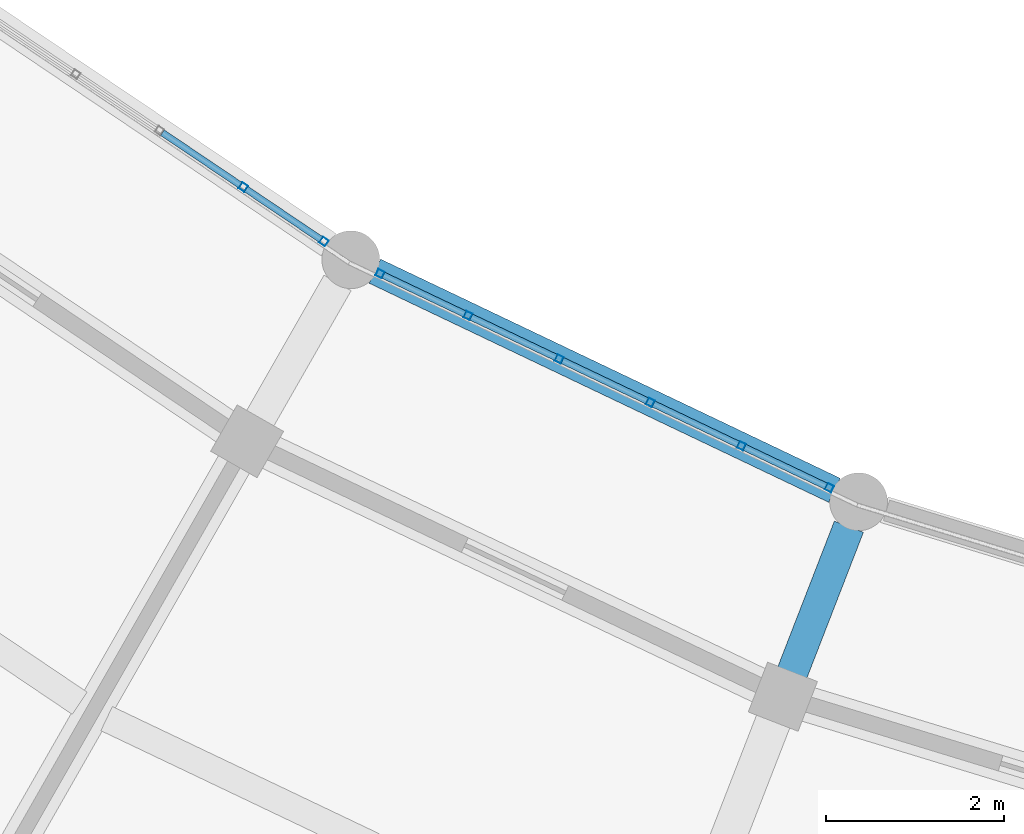
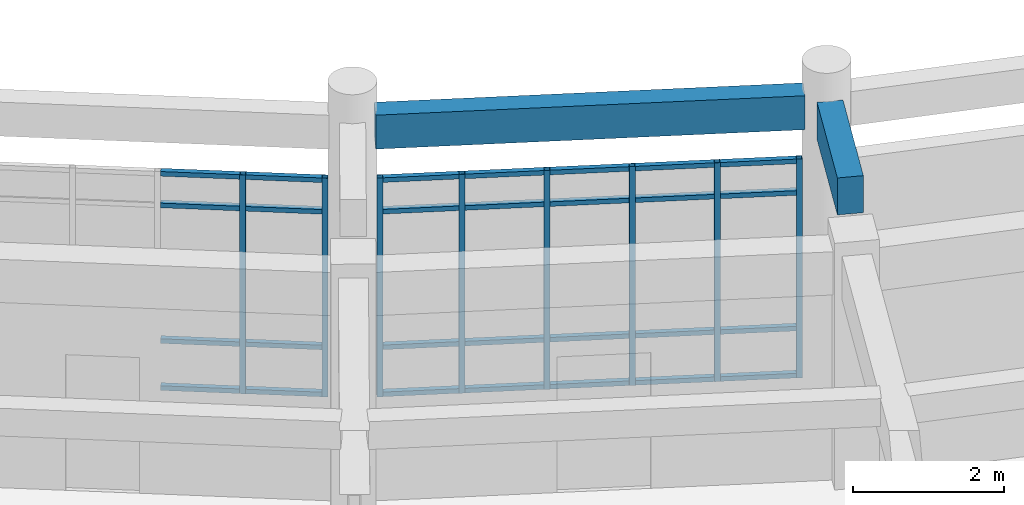
# One storey, part 34 of 159: 36 members, 2 beams, 2 elements without a shape of their own.
"""IFC4 building model written with IfcOpenShell, lengths in metres."""

from ifc_helpers import new_model, si_unit, direction, frame, origin, origin_2d, place, context, subcontext, project, spatial, rectangle, hollow_rectangle, extrude, material, material_profile, profile_set, type_object, element, aggregate, save


model = new_model("IFC4")

# Units and contexts
model_context = context("Model", 3, precision=1e-05, world=origin(), true_north=direction((0.0, 1.0)))
body_context = subcontext(model_context, "Body", "Model", "MODEL_VIEW")
ifc_project = project(units=[si_unit("LENGTHUNIT", "METRE"), si_unit("AREAUNIT", "SQUARE_METRE"), si_unit("VOLUMEUNIT", "CUBIC_METRE"), si_unit("PLANEANGLEUNIT", "RADIAN"), si_unit("MASSUNIT", "GRAM", prefix="KILO")], contexts=[model_context])

# Site, building, storey
site_placement = place(None, origin())
site = spatial("IfcSite", under=ifc_project, at=site_placement, CompositionType="ELEMENT")
building_placement = place(site_placement, origin())
building = spatial("IfcBuilding", under=site, at=building_placement, Name="Celadon Cloister-Ring School", CompositionType="ELEMENT")
storey_placement = place(building_placement, frame((0.0, 0.0, 4.5)))
storey = spatial("IfcBuildingStorey", under=building, at=storey_placement, Name="L01", CompositionType="ELEMENT", Elevation=4.5)

# Beam
ifc_material_1 = material(Name="Concrete C35/45", Category="concrete")
ifc_material_profile_1 = material_profile(ifc_material_1, rectangle(XDim=0.35009765625, YDim=0.60009765625, at=origin_2d()), Name="RC350X600")
ifc_profile_set_1 = profile_set([ifc_material_profile_1], Name="Concrete C35/45")
beam_type_1 = type_object("IfcBeamType", Name="BT-02", PredefinedType="BEAM", material=ifc_profile_set_1)
beam_1_placement = place(storey_placement, frame((70.798095703125, 17.31298828125, 4.35009765625), z_axis=(0.361762199157, 0.932270406728, 0.0), x_axis=(-0.932270406728, 0.361762199157, 0.0)))
element("IfcBeam", 1, at=beam_1_placement, inside=storey, type_object=beam_type_1, Name="Beam 0229", PredefinedType="BEAM", context=body_context, shape_type="SweptSolid", body=[
    extrude(rectangle(XDim=0.35009765625, YDim=0.60009765625, at=origin_2d()), origin(), (0.0, 0.0, 1.0), 1.774169921875),
])

# Curtain wall, members
ifc_material_2 = material(Name="Aluminium EN AW-6063 T6", Category="aluminium")
curtain_wall_type = type_object("IfcCurtainWallType", Name="CW-01", PredefinedType="USERDEFINED", material=ifc_material_2)
curtain_wall_1_placement = place(storey_placement, origin())
curtain_wall_1 = element("IfcCurtainWall", 2, at=curtain_wall_1_placement, inside=storey, type_object=curtain_wall_type, Name="Curtain Wall 0029", ObjectType="CURTAIN WALL", PredefinedType="USERDEFINED")
ifc_material_3 = material(Name="Aluminium EN AW-6063 T6", Category="aluminium")
ifc_material_profile_2 = material_profile(ifc_material_3, hollow_rectangle(XDim=0.080078125, YDim=0.080078125, WallThickness=0.00390625, at=origin_2d()), Name="RHS80X80X4")
ifc_profile_set_2 = profile_set([ifc_material_profile_2], Name="Aluminium EN AW-6063 T6")
member_type_1 = type_object("IfcMemberType", Name="CM-03", PredefinedType="MULLION", material=ifc_profile_set_2)
member_1_placement = place(storey_placement, frame((64.6357421875, 22.781494140625, 0.0), z_axis=(0.0, 0.0, 1.0), x_axis=(0.558845550563, 0.829271759206, 0.0)))
member_1 = element("IfcMember", 3, at=member_1_placement, type_object=member_type_1, Name="CW-01 mullion 5", PredefinedType="MULLION", context=body_context, shape_type="SweptSolid", body=[
    extrude(hollow_rectangle(XDim=0.080078125, YDim=0.080078125, WallThickness=0.00390625, at=origin_2d()), origin(), (0.0, 0.0, 1.0), 3.550048828125),
])
member_2_placement = place(storey_placement, frame((65.542724609375, 22.17041015625, 0.0), z_axis=(0.0, 0.0, 1.0), x_axis=(0.558845550563, 0.829271759206, 0.0)))
member_2 = element("IfcMember", 4, at=member_2_placement, type_object=member_type_1, Name="CW-01 mullion 6", PredefinedType="MULLION", context=body_context, shape_type="SweptSolid", body=[
    extrude(hollow_rectangle(XDim=0.080078125, YDim=0.080078125, WallThickness=0.00390625, at=origin_2d()), origin(), (0.0, 0.0, 1.0), 3.550048828125),
])

curtain_wall_2_placement = place(storey_placement, origin())
curtain_wall_2 = element("IfcCurtainWall", 5, at=curtain_wall_2_placement, inside=storey, type_object=curtain_wall_type, Name="Curtain Wall 0030", ObjectType="CURTAIN WALL", PredefinedType="USERDEFINED")
member_3_placement = place(storey_placement, frame((66.174072265625, 21.808837890625, 0.0), z_axis=(0.0, 0.0, 1.0), x_axis=(0.430200582842, 0.902733326361, 0.0)))
member_3 = element("IfcMember", 6, at=member_3_placement, type_object=member_type_1, Name="CW-01 mullion 1", PredefinedType="MULLION", context=body_context, shape_type="SweptSolid", body=[
    extrude(hollow_rectangle(XDim=0.080078125, YDim=0.080078125, WallThickness=0.00390625, at=origin_2d()), origin(), (0.0, 0.0, 1.0), 3.550048828125),
])
member_4_placement = place(storey_placement, frame((67.16162109375, 21.338134765625, 0.0), z_axis=(0.0, 0.0, 1.0), x_axis=(0.430200582842, 0.902733326361, 0.0)))
member_4 = element("IfcMember", 7, at=member_4_placement, type_object=member_type_1, Name="CW-01 mullion 2", PredefinedType="MULLION", context=body_context, shape_type="SweptSolid", body=[
    extrude(hollow_rectangle(XDim=0.080078125, YDim=0.080078125, WallThickness=0.00390625, at=origin_2d()), origin(), (0.0, 0.0, 1.0), 3.550048828125),
])
member_5_placement = place(storey_placement, frame((68.185302734375, 20.850341796875, 0.0), z_axis=(0.0, 0.0, 1.0), x_axis=(0.430200582842, 0.902733326361, 0.0)))
member_5 = element("IfcMember", 8, at=member_5_placement, type_object=member_type_1, Name="CW-01 mullion 3", PredefinedType="MULLION", context=body_context, shape_type="SweptSolid", body=[
    extrude(hollow_rectangle(XDim=0.080078125, YDim=0.080078125, WallThickness=0.00390625, at=origin_2d()), origin(), (0.0, 0.0, 1.0), 3.550048828125),
])
member_6_placement = place(storey_placement, frame((69.208740234375, 20.362548828125, 0.0), z_axis=(0.0, 0.0, 1.0), x_axis=(0.430200582842, 0.902733326361, 0.0)))
member_6 = element("IfcMember", 9, at=member_6_placement, type_object=member_type_1, Name="CW-01 mullion 4", PredefinedType="MULLION", context=body_context, shape_type="SweptSolid", body=[
    extrude(hollow_rectangle(XDim=0.080078125, YDim=0.080078125, WallThickness=0.00390625, at=origin_2d()), origin(), (0.0, 0.0, 1.0), 3.550048828125),
])
member_7_placement = place(storey_placement, frame((70.232421875, 19.874755859375, 0.0), z_axis=(0.0, 0.0, 1.0), x_axis=(0.430200582842, 0.902733326361, 0.0)))
member_7 = element("IfcMember", 10, at=member_7_placement, type_object=member_type_1, Name="CW-01 mullion 5", PredefinedType="MULLION", context=body_context, shape_type="SweptSolid", body=[
    extrude(hollow_rectangle(XDim=0.080078125, YDim=0.080078125, WallThickness=0.00390625, at=origin_2d()), origin(), (0.0, 0.0, 1.0), 3.550048828125),
])
member_8_placement = place(storey_placement, frame((71.219970703125, 19.404296875, 0.0), z_axis=(0.0, 0.0, 1.0), x_axis=(0.430200582842, 0.902733326361, 0.0)))
member_8 = element("IfcMember", 11, at=member_8_placement, type_object=member_type_1, Name="CW-01 mullion 6", PredefinedType="MULLION", context=body_context, shape_type="SweptSolid", body=[
    extrude(hollow_rectangle(XDim=0.080078125, YDim=0.080078125, WallThickness=0.00390625, at=origin_2d()), origin(), (0.0, 0.0, 1.0), 3.550048828125),
])

# Member
ifc_material_4 = material(Name="Aluminium EN AW-6063 T6", Category="aluminium")
ifc_material_profile_3 = material_profile(ifc_material_4, hollow_rectangle(XDim=0.074951171875, YDim=0.074951171875, WallThickness=0.00390625, at=origin_2d()), Name="RHS75X75X4")
ifc_profile_set_3 = profile_set([ifc_material_profile_3], Name="Aluminium EN AW-6063 T6")
member_type_2 = type_object("IfcMemberType", Name="CTM-03", PredefinedType="USERDEFINED", material=ifc_profile_set_3)
member_9_placement = place(storey_placement, frame((63.728759765625, 23.392822265625, 0.03759765625), z_axis=(0.829259424525, -0.558863853578, 0.0), x_axis=(0.558863853578, 0.829259424525, 0.0)))
member_9 = element("IfcMember", 12, at=member_9_placement, type_object=member_type_2, Name="CW-01 transom 4.1", ObjectType="TRANSOM", PredefinedType="USERDEFINED", context=body_context, shape_type="SweptSolid", body=[
    extrude(hollow_rectangle(XDim=0.074951171875, YDim=0.074951171875, WallThickness=0.00390625, at=origin_2d()), origin(), (0.0, 0.0, 1.0), 1.0537109375),
])

member_10_placement = place(storey_placement, frame((63.728759765625, 23.392822265625, 0.800048828125), z_axis=(0.829259424525, -0.558863853578, 0.0), x_axis=(0.558863853578, 0.829259424525, 0.0)))
member_10 = element("IfcMember", 13, at=member_10_placement, type_object=member_type_2, Name="CW-01 transom 4.2", ObjectType="TRANSOM", PredefinedType="USERDEFINED", context=body_context, shape_type="SweptSolid", body=[
    extrude(hollow_rectangle(XDim=0.074951171875, YDim=0.074951171875, WallThickness=0.00390625, at=origin_2d()), origin(), (0.0, 0.0, 1.0), 1.0537109375),
])

member_11_placement = place(storey_placement, frame((63.728759765625, 23.392822265625, 3.0), z_axis=(0.829259424525, -0.558863853578, 0.0), x_axis=(0.558863853578, 0.829259424525, 0.0)))
member_11 = element("IfcMember", 14, at=member_11_placement, type_object=member_type_2, Name="CW-01 transom 4.3", ObjectType="TRANSOM", PredefinedType="USERDEFINED", context=body_context, shape_type="SweptSolid", body=[
    extrude(hollow_rectangle(XDim=0.074951171875, YDim=0.074951171875, WallThickness=0.00390625, at=origin_2d()), origin(), (0.0, 0.0, 1.0), 1.0537109375),
])

member_12_placement = place(storey_placement, frame((63.728759765625, 23.392822265625, 3.512451171875), z_axis=(0.829259424525, -0.558863853578, 0.0), x_axis=(0.558863853578, 0.829259424525, 0.0)))
member_12 = element("IfcMember", 15, at=member_12_placement, type_object=member_type_2, Name="CW-01 transom 4.4", ObjectType="TRANSOM", PredefinedType="USERDEFINED", context=body_context, shape_type="SweptSolid", body=[
    extrude(hollow_rectangle(XDim=0.074951171875, YDim=0.074951171875, WallThickness=0.00390625, at=origin_2d()), origin(), (0.0, 0.0, 1.0), 1.0537109375),
])

member_13_placement = place(storey_placement, frame((64.6689453125, 22.75927734375, 0.03759765625), z_axis=(0.829261575875, -0.558860661326, 0.0), x_axis=(0.558860661326, 0.829261575875, 0.0)))
member_13 = element("IfcMember", 16, at=member_13_placement, type_object=member_type_2, Name="CW-01 transom 5.1", ObjectType="TRANSOM", PredefinedType="USERDEFINED", context=body_context, shape_type="SweptSolid", body=[
    extrude(hollow_rectangle(XDim=0.074951171875, YDim=0.074951171875, WallThickness=0.00390625, at=origin_2d()), origin(), (0.0, 0.0, 1.0), 1.013916015625),
])

member_14_placement = place(storey_placement, frame((64.6689453125, 22.75927734375, 0.800048828125), z_axis=(0.829261575875, -0.558860661326, 0.0), x_axis=(0.558860661326, 0.829261575875, 0.0)))
member_14 = element("IfcMember", 17, at=member_14_placement, type_object=member_type_2, Name="CW-01 transom 5.2", ObjectType="TRANSOM", PredefinedType="USERDEFINED", context=body_context, shape_type="SweptSolid", body=[
    extrude(hollow_rectangle(XDim=0.074951171875, YDim=0.074951171875, WallThickness=0.00390625, at=origin_2d()), origin(), (0.0, 0.0, 1.0), 1.013916015625),
])

member_15_placement = place(storey_placement, frame((64.6689453125, 22.75927734375, 3.0), z_axis=(0.829261575875, -0.558860661326, 0.0), x_axis=(0.558860661326, 0.829261575875, 0.0)))
member_15 = element("IfcMember", 18, at=member_15_placement, type_object=member_type_2, Name="CW-01 transom 5.3", ObjectType="TRANSOM", PredefinedType="USERDEFINED", context=body_context, shape_type="SweptSolid", body=[
    extrude(hollow_rectangle(XDim=0.074951171875, YDim=0.074951171875, WallThickness=0.00390625, at=origin_2d()), origin(), (0.0, 0.0, 1.0), 1.013916015625),
])

member_16_placement = place(storey_placement, frame((64.6689453125, 22.75927734375, 3.512451171875), z_axis=(0.829261575875, -0.558860661326, 0.0), x_axis=(0.558860661326, 0.829261575875, 0.0)))
member_16 = element("IfcMember", 19, at=member_16_placement, type_object=member_type_2, Name="CW-01 transom 5.4", ObjectType="TRANSOM", PredefinedType="USERDEFINED", context=body_context, shape_type="SweptSolid", body=[
    extrude(hollow_rectangle(XDim=0.074951171875, YDim=0.074951171875, WallThickness=0.00390625, at=origin_2d()), origin(), (0.0, 0.0, 1.0), 1.013916015625),
])

aggregate(curtain_wall_1, [member_1, member_2, member_9, member_10, member_11, member_12, member_13, member_14, member_15, member_16])

member_17_placement = place(storey_placement, frame((66.210205078125, 21.79150390625, 0.03759765625), z_axis=(0.902789287797, -0.430083133637, 0.0), x_axis=(0.430083133637, 0.902789287797, 0.0)))
member_17 = element("IfcMember", 20, at=member_17_placement, type_object=member_type_2, Name="CW-01 transom 1.1", ObjectType="TRANSOM", PredefinedType="USERDEFINED", context=body_context, shape_type="SweptSolid", body=[
    extrude(hollow_rectangle(XDim=0.074951171875, YDim=0.074951171875, WallThickness=0.00390625, at=origin_2d()), origin(), (0.0, 0.0, 1.0), 1.013916015625),
])

member_18_placement = place(storey_placement, frame((66.210205078125, 21.79150390625, 0.800048828125), z_axis=(0.902789287797, -0.430083133637, 0.0), x_axis=(0.430083133637, 0.902789287797, 0.0)))
member_18 = element("IfcMember", 21, at=member_18_placement, type_object=member_type_2, Name="CW-01 transom 1.2", ObjectType="TRANSOM", PredefinedType="USERDEFINED", context=body_context, shape_type="SweptSolid", body=[
    extrude(hollow_rectangle(XDim=0.074951171875, YDim=0.074951171875, WallThickness=0.00390625, at=origin_2d()), origin(), (0.0, 0.0, 1.0), 1.013916015625),
])

member_19_placement = place(storey_placement, frame((66.210205078125, 21.79150390625, 3.0), z_axis=(0.902789287797, -0.430083133637, 0.0), x_axis=(0.430083133637, 0.902789287797, 0.0)))
member_19 = element("IfcMember", 22, at=member_19_placement, type_object=member_type_2, Name="CW-01 transom 1.3", ObjectType="TRANSOM", PredefinedType="USERDEFINED", context=body_context, shape_type="SweptSolid", body=[
    extrude(hollow_rectangle(XDim=0.074951171875, YDim=0.074951171875, WallThickness=0.00390625, at=origin_2d()), origin(), (0.0, 0.0, 1.0), 1.013916015625),
])

member_20_placement = place(storey_placement, frame((66.210205078125, 21.79150390625, 3.512451171875), z_axis=(0.902789287797, -0.430083133637, 0.0), x_axis=(0.430083133637, 0.902789287797, 0.0)))
member_20 = element("IfcMember", 23, at=member_20_placement, type_object=member_type_2, Name="CW-01 transom 1.4", ObjectType="TRANSOM", PredefinedType="USERDEFINED", context=body_context, shape_type="SweptSolid", body=[
    extrude(hollow_rectangle(XDim=0.074951171875, YDim=0.074951171875, WallThickness=0.00390625, at=origin_2d()), origin(), (0.0, 0.0, 1.0), 1.013916015625),
])

member_21_placement = place(storey_placement, frame((67.19775390625, 21.321044921875, 0.03759765625), z_axis=(0.902744874657, -0.430176349048, 0.0), x_axis=(0.430176349048, 0.902744874657, 0.0)))
member_21 = element("IfcMember", 24, at=member_21_placement, type_object=member_type_2, Name="CW-01 transom 2.1", ObjectType="TRANSOM", PredefinedType="USERDEFINED", context=body_context, shape_type="SweptSolid", body=[
    extrude(hollow_rectangle(XDim=0.074951171875, YDim=0.074951171875, WallThickness=0.00390625, at=origin_2d()), origin(), (0.0, 0.0, 1.0), 1.053955078125),
])

member_22_placement = place(storey_placement, frame((67.19775390625, 21.321044921875, 0.800048828125), z_axis=(0.902744874657, -0.430176349048, 0.0), x_axis=(0.430176349048, 0.902744874657, 0.0)))
member_22 = element("IfcMember", 25, at=member_22_placement, type_object=member_type_2, Name="CW-01 transom 2.2", ObjectType="TRANSOM", PredefinedType="USERDEFINED", context=body_context, shape_type="SweptSolid", body=[
    extrude(hollow_rectangle(XDim=0.074951171875, YDim=0.074951171875, WallThickness=0.00390625, at=origin_2d()), origin(), (0.0, 0.0, 1.0), 1.053955078125),
])

member_23_placement = place(storey_placement, frame((67.19775390625, 21.321044921875, 3.0), z_axis=(0.902744874657, -0.430176349048, 0.0), x_axis=(0.430176349048, 0.902744874657, 0.0)))
member_23 = element("IfcMember", 26, at=member_23_placement, type_object=member_type_2, Name="CW-01 transom 2.3", ObjectType="TRANSOM", PredefinedType="USERDEFINED", context=body_context, shape_type="SweptSolid", body=[
    extrude(hollow_rectangle(XDim=0.074951171875, YDim=0.074951171875, WallThickness=0.00390625, at=origin_2d()), origin(), (0.0, 0.0, 1.0), 1.053955078125),
])

member_24_placement = place(storey_placement, frame((67.19775390625, 21.321044921875, 3.512451171875), z_axis=(0.902744874657, -0.430176349048, 0.0), x_axis=(0.430176349048, 0.902744874657, 0.0)))
member_24 = element("IfcMember", 27, at=member_24_placement, type_object=member_type_2, Name="CW-01 transom 2.4", ObjectType="TRANSOM", PredefinedType="USERDEFINED", context=body_context, shape_type="SweptSolid", body=[
    extrude(hollow_rectangle(XDim=0.074951171875, YDim=0.074951171875, WallThickness=0.00390625, at=origin_2d()), origin(), (0.0, 0.0, 1.0), 1.053955078125),
])

member_25_placement = place(storey_placement, frame((68.22119140625, 20.833251953125, 0.03759765625), z_axis=(0.902744874657, -0.430176349048, 0.0), x_axis=(0.430176349048, 0.902744874657, 0.0)))
member_25 = element("IfcMember", 28, at=member_25_placement, type_object=member_type_2, Name="CW-01 transom 3.1", ObjectType="TRANSOM", PredefinedType="USERDEFINED", context=body_context, shape_type="SweptSolid", body=[
    extrude(hollow_rectangle(XDim=0.074951171875, YDim=0.074951171875, WallThickness=0.00390625, at=origin_2d()), origin(), (0.0, 0.0, 1.0), 1.053955078125),
])

member_26_placement = place(storey_placement, frame((68.22119140625, 20.833251953125, 0.800048828125), z_axis=(0.902744874657, -0.430176349048, 0.0), x_axis=(0.430176349048, 0.902744874657, 0.0)))
member_26 = element("IfcMember", 29, at=member_26_placement, type_object=member_type_2, Name="CW-01 transom 3.2", ObjectType="TRANSOM", PredefinedType="USERDEFINED", context=body_context, shape_type="SweptSolid", body=[
    extrude(hollow_rectangle(XDim=0.074951171875, YDim=0.074951171875, WallThickness=0.00390625, at=origin_2d()), origin(), (0.0, 0.0, 1.0), 1.053955078125),
])

member_27_placement = place(storey_placement, frame((68.22119140625, 20.833251953125, 3.0), z_axis=(0.902744874657, -0.430176349048, 0.0), x_axis=(0.430176349048, 0.902744874657, 0.0)))
member_27 = element("IfcMember", 30, at=member_27_placement, type_object=member_type_2, Name="CW-01 transom 3.3", ObjectType="TRANSOM", PredefinedType="USERDEFINED", context=body_context, shape_type="SweptSolid", body=[
    extrude(hollow_rectangle(XDim=0.074951171875, YDim=0.074951171875, WallThickness=0.00390625, at=origin_2d()), origin(), (0.0, 0.0, 1.0), 1.053955078125),
])

member_28_placement = place(storey_placement, frame((68.22119140625, 20.833251953125, 3.512451171875), z_axis=(0.902744874657, -0.430176349048, 0.0), x_axis=(0.430176349048, 0.902744874657, 0.0)))
member_28 = element("IfcMember", 31, at=member_28_placement, type_object=member_type_2, Name="CW-01 transom 3.4", ObjectType="TRANSOM", PredefinedType="USERDEFINED", context=body_context, shape_type="SweptSolid", body=[
    extrude(hollow_rectangle(XDim=0.074951171875, YDim=0.074951171875, WallThickness=0.00390625, at=origin_2d()), origin(), (0.0, 0.0, 1.0), 1.053955078125),
])

member_29_placement = place(storey_placement, frame((69.244873046875, 20.345458984375, 0.03759765625), z_axis=(0.902744874657, -0.430176349048, 0.0), x_axis=(0.430176349048, 0.902744874657, 0.0)))
member_29 = element("IfcMember", 32, at=member_29_placement, type_object=member_type_2, Name="CW-01 transom 4.1", ObjectType="TRANSOM", PredefinedType="USERDEFINED", context=body_context, shape_type="SweptSolid", body=[
    extrude(hollow_rectangle(XDim=0.074951171875, YDim=0.074951171875, WallThickness=0.00390625, at=origin_2d()), origin(), (0.0, 0.0, 1.0), 1.053955078125),
])

member_30_placement = place(storey_placement, frame((69.244873046875, 20.345458984375, 0.800048828125), z_axis=(0.902744874657, -0.430176349048, 0.0), x_axis=(0.430176349048, 0.902744874657, 0.0)))
member_30 = element("IfcMember", 33, at=member_30_placement, type_object=member_type_2, Name="CW-01 transom 4.2", ObjectType="TRANSOM", PredefinedType="USERDEFINED", context=body_context, shape_type="SweptSolid", body=[
    extrude(hollow_rectangle(XDim=0.074951171875, YDim=0.074951171875, WallThickness=0.00390625, at=origin_2d()), origin(), (0.0, 0.0, 1.0), 1.053955078125),
])

member_31_placement = place(storey_placement, frame((69.244873046875, 20.345458984375, 3.0), z_axis=(0.902744874657, -0.430176349048, 0.0), x_axis=(0.430176349048, 0.902744874657, 0.0)))
member_31 = element("IfcMember", 34, at=member_31_placement, type_object=member_type_2, Name="CW-01 transom 4.3", ObjectType="TRANSOM", PredefinedType="USERDEFINED", context=body_context, shape_type="SweptSolid", body=[
    extrude(hollow_rectangle(XDim=0.074951171875, YDim=0.074951171875, WallThickness=0.00390625, at=origin_2d()), origin(), (0.0, 0.0, 1.0), 1.053955078125),
])

member_32_placement = place(storey_placement, frame((69.244873046875, 20.345458984375, 3.512451171875), z_axis=(0.902744874657, -0.430176349048, 0.0), x_axis=(0.430176349048, 0.902744874657, 0.0)))
member_32 = element("IfcMember", 35, at=member_32_placement, type_object=member_type_2, Name="CW-01 transom 4.4", ObjectType="TRANSOM", PredefinedType="USERDEFINED", context=body_context, shape_type="SweptSolid", body=[
    extrude(hollow_rectangle(XDim=0.074951171875, YDim=0.074951171875, WallThickness=0.00390625, at=origin_2d()), origin(), (0.0, 0.0, 1.0), 1.053955078125),
])

member_33_placement = place(storey_placement, frame((70.2685546875, 19.857666015625, 0.03759765625), z_axis=(0.902695776549, -0.43027936855, 0.0), x_axis=(0.43027936855, 0.902695776549, 0.0)))
member_33 = element("IfcMember", 36, at=member_33_placement, type_object=member_type_2, Name="CW-01 transom 5.1", ObjectType="TRANSOM", PredefinedType="USERDEFINED", context=body_context, shape_type="SweptSolid", body=[
    extrude(hollow_rectangle(XDim=0.074951171875, YDim=0.074951171875, WallThickness=0.00390625, at=origin_2d()), origin(), (0.0, 0.0, 1.0), 1.013916015625),
])

member_34_placement = place(storey_placement, frame((70.2685546875, 19.857666015625, 0.800048828125), z_axis=(0.902695776549, -0.43027936855, 0.0), x_axis=(0.43027936855, 0.902695776549, 0.0)))
member_34 = element("IfcMember", 37, at=member_34_placement, type_object=member_type_2, Name="CW-01 transom 5.2", ObjectType="TRANSOM", PredefinedType="USERDEFINED", context=body_context, shape_type="SweptSolid", body=[
    extrude(hollow_rectangle(XDim=0.074951171875, YDim=0.074951171875, WallThickness=0.00390625, at=origin_2d()), origin(), (0.0, 0.0, 1.0), 1.013916015625),
])

member_35_placement = place(storey_placement, frame((70.2685546875, 19.857666015625, 3.0), z_axis=(0.902695776549, -0.43027936855, 0.0), x_axis=(0.43027936855, 0.902695776549, 0.0)))
member_35 = element("IfcMember", 38, at=member_35_placement, type_object=member_type_2, Name="CW-01 transom 5.3", ObjectType="TRANSOM", PredefinedType="USERDEFINED", context=body_context, shape_type="SweptSolid", body=[
    extrude(hollow_rectangle(XDim=0.074951171875, YDim=0.074951171875, WallThickness=0.00390625, at=origin_2d()), origin(), (0.0, 0.0, 1.0), 1.013916015625),
])

member_36_placement = place(storey_placement, frame((70.2685546875, 19.857666015625, 3.512451171875), z_axis=(0.902695776549, -0.43027936855, 0.0), x_axis=(0.43027936855, 0.902695776549, 0.0)))
member_36 = element("IfcMember", 39, at=member_36_placement, type_object=member_type_2, Name="CW-01 transom 5.4", ObjectType="TRANSOM", PredefinedType="USERDEFINED", context=body_context, shape_type="SweptSolid", body=[
    extrude(hollow_rectangle(XDim=0.074951171875, YDim=0.074951171875, WallThickness=0.00390625, at=origin_2d()), origin(), (0.0, 0.0, 1.0), 1.013916015625),
])

aggregate(curtain_wall_2, [member_3, member_4, member_5, member_6, member_7, member_8, member_17, member_18, member_19, member_20, member_21, member_22, member_23, member_24, member_25, member_26, member_27, member_28, member_29, member_30, member_31, member_32, member_33, member_34, member_35, member_36])

# Beam
ifc_material_5 = material(Name="Concrete C35/45", Category="concrete")
ifc_material_profile_4 = material_profile(ifc_material_5, rectangle(XDim=0.300048828125, YDim=0.550048828125, at=origin_2d()), Name="RC300X550")
ifc_profile_set_4 = profile_set([ifc_material_profile_4], Name="Concrete C35/45")
beam_type_2 = type_object("IfcBeamType", Name="SP-02", PredefinedType="SPANDREL", material=ifc_profile_set_4)
beam_2_placement = place(storey_placement, frame((66.115966796875, 21.8369140625, 4.375), z_axis=(0.902671041533, -0.430331257031, 0.0), x_axis=(0.430331257031, 0.902671041533, 0.0)))
element("IfcBeam", 40, at=beam_2_placement, inside=storey, type_object=beam_type_2, Name="Beam 0323", PredefinedType="SPANDREL", context=body_context, shape_type="SweptSolid", body=[
    extrude(rectangle(XDim=0.300048828125, YDim=0.550048828125, at=origin_2d()), origin(), (0.0, 0.0, 1.0), 5.71875),
])

save(model, "model.ifc")
